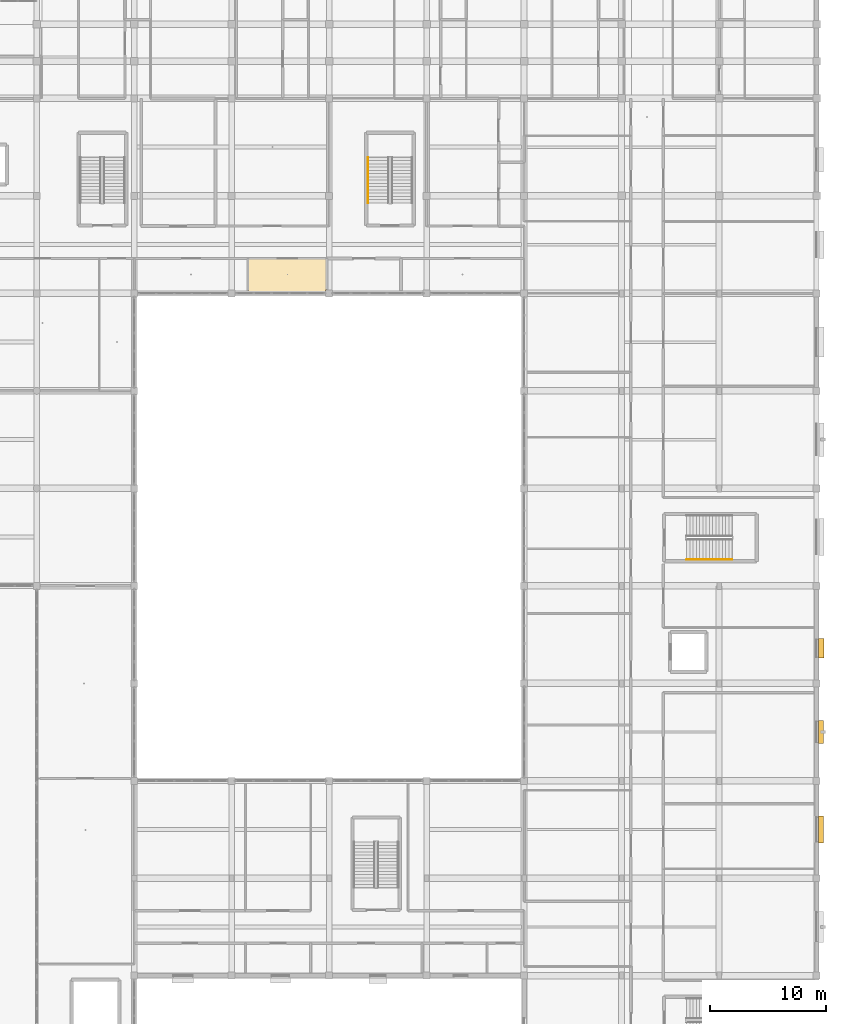
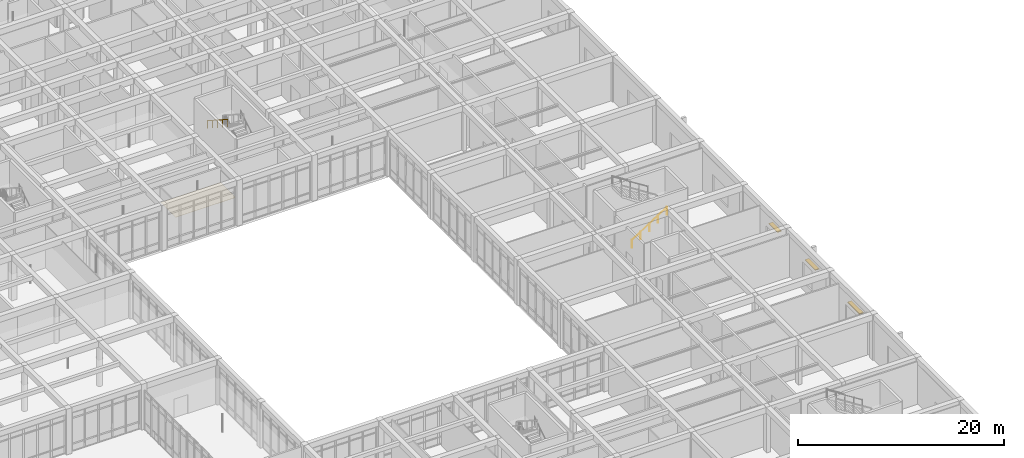
# One storey, part 152 of 157: 3 shading devices, 2 railings, 1 covering.
"""IFC4 building model written with IfcOpenShell, lengths in metres."""

from ifc_helpers import new_model, si_unit, direction, frame, origin, origin_2d, place, context, subcontext, project, spatial, polyline, rectangle, circle, outline, extrude, material, layer, layer_set, type_object, element, save


model = new_model("IFC4")

# Units and contexts
model_context = context("Model", 3, precision=1e-05, world=origin(), true_north=direction((0.0, 1.0)))
body_context = subcontext(model_context, "Body", "Model", "MODEL_VIEW")
ifc_project = project(units=[si_unit("LENGTHUNIT", "METRE"), si_unit("AREAUNIT", "SQUARE_METRE"), si_unit("VOLUMEUNIT", "CUBIC_METRE"), si_unit("PLANEANGLEUNIT", "RADIAN"), si_unit("MASSUNIT", "GRAM", prefix="KILO")], contexts=[model_context])

# Site, building, storey
site_placement = place(None, origin())
site = spatial("IfcSite", under=ifc_project, at=site_placement, CompositionType="ELEMENT")
building_placement = place(site_placement, origin())
building = spatial("IfcBuilding", under=site, at=building_placement, Name="Varncliffe General Hospital", CompositionType="ELEMENT")
storey_placement = place(building_placement, frame((0.0, 0.0, 5.39990234375)))
storey = spatial("IfcBuildingStorey", under=building, at=storey_placement, Name="L01", CompositionType="ELEMENT", Elevation=5.39990234375)

# Covering
ifc_material_1 = material(Name="Hygienic antimicrobial acoustic suspended ceiling tile", Category="gypsum")
ifc_layer_1 = layer(ifc_material_1, 0.02490234375)
ifc_layer_set_1 = layer_set([ifc_layer_1], Name="Hygienic antimicrobial acoustic suspended ceiling tile")
covering_type = type_object("IfcCoveringType", Name="Antimicrobial Acoustic Suspended Ceiling CLG44", PredefinedType="CEILING", material=ifc_layer_set_1)
covering_placement = place(storey_placement, frame((0.0, 0.0, 3.175048828125)))
element("IfcCovering", 1, at=covering_placement, inside=storey, type_object=covering_type, Name="L01 Pre-Operative Patient Admission Bay 90 Suspended Ceiling", PredefinedType="CEILING", context=body_context, shape_type="SweptSolid", body=[
    extrude(outline(polyline([(127.43994140625, 82.840087890625), (127.43994140625, 85.760009765625), (134.159912109375, 85.760009765625), (134.159912109375, 83.10009765625), (134.10009765625, 83.10009765625), (134.10009765625, 82.840087890625), (127.43994140625, 82.840087890625)])), origin(), (0.0, 0.0, 1.0), 0.025146484375),
])

# Shading devices
ifc_material_2 = material(Name="Dark bronze extruded aluminium solar jalousie louvres", Category="aluminium")
ifc_layer_2 = layer(ifc_material_2, 0.080078125)
ifc_layer_set_2 = layer_set([ifc_layer_2], Name="Dark bronze extruded aluminium solar jalousie louvres")
shading_device_type = type_object("IfcShadingDeviceType", Name="Bronze Solar Jalousie Louvre Hood SHD18", PredefinedType="JALOUSIE", material=ifc_layer_set_2)
shading_device_1_placement = place(storey_placement, frame((176.800048828125, 52.211181640625, 3.260009765625), z_axis=(0.0, 0.0, 1.0), x_axis=(0.0, -1.0, 0.0)))
element("IfcShadingDevice", 2, at=shading_device_1_placement, inside=storey, type_object=shading_device_type, Name="L01 Bronze Window Sun-Shading Louvre 35", PredefinedType="JALOUSIE", context=body_context, shape_type="SweptSolid", body=[
    extrude(rectangle(XDim=1.699951171875, YDim=0.449951171875, at=origin_2d()), origin(), (0.0, 0.0, 1.0), 0.080078125),
])
shading_device_2_placement = place(storey_placement, frame((176.7900390625, 45.0, 3.260009765625), z_axis=(0.0, 0.0, 1.0), x_axis=(0.0, -1.0, 0.0)))
element("IfcShadingDevice", 3, at=shading_device_2_placement, inside=storey, type_object=shading_device_type, Name="L01 Bronze Window Sun-Shading Louvre 36", PredefinedType="JALOUSIE", context=body_context, shape_type="SweptSolid", body=[
    extrude(rectangle(XDim=2.0, YDim=0.449951171875, at=origin_2d()), origin(), (0.0, 0.0, 1.0), 0.080078125),
])
shading_device_3_placement = place(storey_placement, frame((176.780029296875, 36.60009765625, 3.260009765625), z_axis=(0.0, 0.0, 1.0), x_axis=(0.0, -1.0, 0.0)))
element("IfcShadingDevice", 4, at=shading_device_3_placement, inside=storey, type_object=shading_device_type, Name="L01 Bronze Window Sun-Shading Louvre 37", PredefinedType="JALOUSIE", context=body_context, shape_type="SweptSolid", body=[
    extrude(rectangle(XDim=2.300048828125, YDim=0.449951171875, at=origin_2d()), origin(), (0.0, 0.0, 1.0), 0.080078125),
])

# Railings
ifc_material_3 = material(Name="Powder-coated hospital steel guardrail and handrail", Category="steel")
railing_type = type_object("IfcRailingType", Name="Stair and Ramp Handrail HR46", PredefinedType="HANDRAIL", material=ifc_material_3)
railing_1_placement = place(storey_placement, frame((165.199951171875, 59.85009765625, 0.364013671875)))
element("IfcRailing", 5, at=railing_1_placement, inside=storey, type_object=railing_type, Name="L01 ST07 stair handrail 1", PredefinedType="HANDRAIL", context=body_context, shape_type="SweptSolid", body=[
    extrude(circle(Radius=0.02392578125, at=origin_2d()), frame((0.0, 0.0, 0.8759765625), z_axis=(0.841186985886, 0.0, 0.540744352514), x_axis=(0.0, 1.0, 0.0)), (0.0, 0.0, 1.0), 4.660400390625),
    extrude(circle(Radius=0.02099609375, at=origin_2d()), origin(), (0.0, 0.0, 1.0), 0.851806640625),
    extrude(circle(Radius=0.02099609375, at=origin_2d()), frame((0.97998046875, 0.0, 0.6298828125)), (0.0, 0.0, 1.0), 0.851806640625),
    extrude(circle(Radius=0.02099609375, at=origin_2d()), frame((1.9599609375, 0.0, 1.260009765625)), (0.0, 0.0, 1.0), 0.851806640625),
    extrude(circle(Radius=0.02099609375, at=origin_2d()), frame((2.940185546875, 0.0, 1.89013671875)), (0.0, 0.0, 1.0), 0.851806640625),
    extrude(circle(Radius=0.02099609375, at=origin_2d()), frame((3.920166015625, 0.0, 2.52001953125)), (0.0, 0.0, 1.0), 0.851806640625),
])
railing_2_placement = place(storey_placement, frame((137.75, 94.52001953125, 3.064208984375)))
element("IfcRailing", 6, at=railing_2_placement, inside=storey, type_object=railing_type, Name="L01 ST14 stair handrail 2", PredefinedType="HANDRAIL", context=body_context, shape_type="SweptSolid", body=[
    extrude(circle(Radius=0.02392578125, at=origin_2d()), frame((0.0, 0.0, 0.8759765625), z_axis=(0.0, -0.84119549742, 0.540731111663), x_axis=(1.0, 0.0, 0.0)), (0.0, 0.0, 1.0), 4.659912109375),
    extrude(circle(Radius=0.02099609375, at=origin_2d()), origin(), (0.0, 0.0, 1.0), 0.851806640625),
    extrude(circle(Radius=0.02099609375, at=origin_2d()), frame((0.0, -0.97998046875, 0.6298828125)), (0.0, 0.0, 1.0), 0.851806640625),
    extrude(circle(Radius=0.02099609375, at=origin_2d()), frame((0.0, -1.9599609375, 1.259765625)), (0.0, 0.0, 1.0), 0.851806640625),
    extrude(circle(Radius=0.02099609375, at=origin_2d()), frame((0.0, -2.93994140625, 1.889892578125)), (0.0, 0.0, 1.0), 0.851806640625),
    extrude(circle(Radius=0.02099609375, at=origin_2d()), frame((0.0, -3.919921875, 2.519775390625)), (0.0, 0.0, 1.0), 0.851806640625),
])

save(model, "model.ifc")
